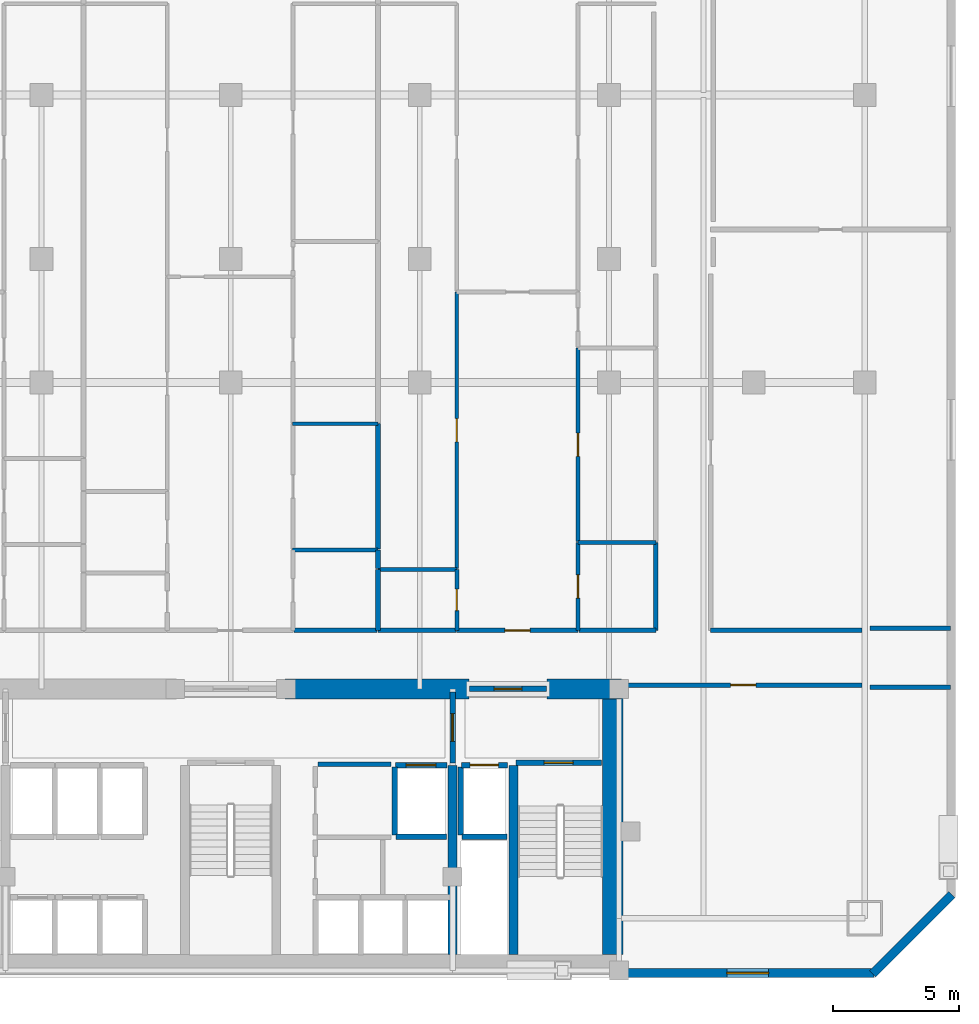
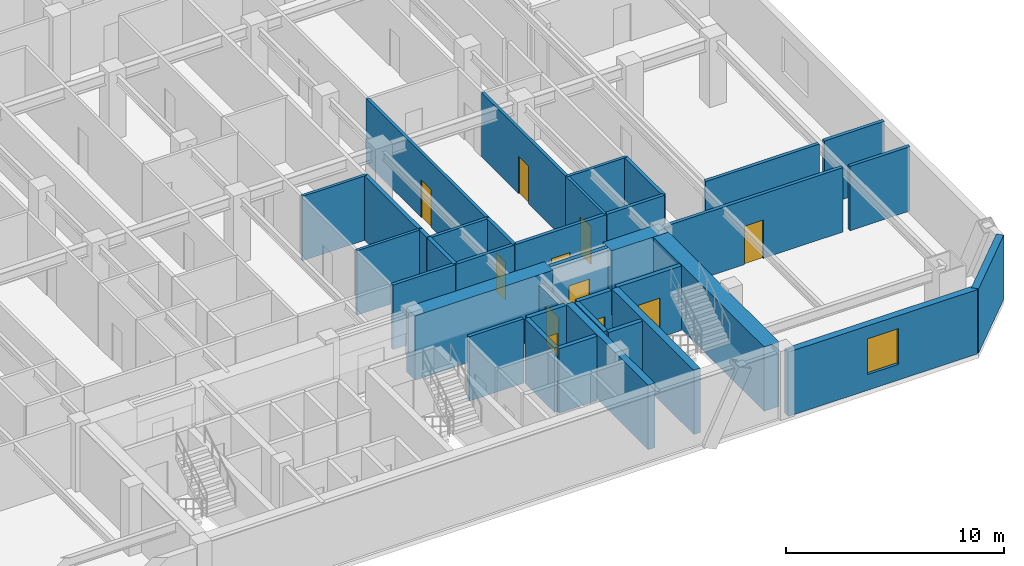
# One storey, part 5 of 9: 37 walls, 11 doors, 1 window, 12 openings.
"""IFC4 building model written with IfcOpenShell, lengths in metres."""

from ifc_helpers import new_model, si_unit, direction, frame, frame_2d, origin, place, context, subcontext, project, spatial, rectangle, extrude, material, layer, layer_set, type_object, element, fill, save


model = new_model("IFC4")

# Units and contexts
model_context = context("Model", 3, precision=1e-05, world=origin(), true_north=direction((0.0, 1.0)))
body_context = subcontext(model_context, "Body", "Model", "MODEL_VIEW")
ifc_project = project(units=[si_unit("LENGTHUNIT", "METRE"), si_unit("AREAUNIT", "SQUARE_METRE"), si_unit("VOLUMEUNIT", "CUBIC_METRE"), si_unit("PLANEANGLEUNIT", "RADIAN"), si_unit("MASSUNIT", "GRAM", prefix="KILO")], contexts=[model_context])

# Site, building, storey
site_placement = place(None, origin())
site = spatial("IfcSite", under=ifc_project, at=site_placement, CompositionType="ELEMENT")
building_placement = place(site_placement, origin())
building = spatial("IfcBuilding", under=site, at=building_placement, Name="Ventersveld Concourse Tower", CompositionType="ELEMENT")
storey_placement = place(building_placement, frame((0.0, 0.0, 52.89990234375)))
storey = spatial("IfcBuildingStorey", under=building, at=storey_placement, Name="L12", CompositionType="ELEMENT", Elevation=52.89990234375)

# Walls
ifc_material_1 = material(Name="Concrete C60/75", Category="concrete")
ifc_layer_1 = layer(ifc_material_1, 0.35009765625)
ifc_layer_set_1 = layer_set([ifc_layer_1], Name="Concrete C60/75")
wall_type_1 = type_object("IfcWallType", Name="WL-CORE-350L", PredefinedType="SHEAR", material=ifc_layer_set_1)
for number, where, z_axis, x_axis, name in (
    (1, (37.550048828125, 0.919921875, 0.0), (0.0, 0.0, 1.0), (0.0, 1.0, 0.0), "L12 Core Internal Shear Web W-SVL-W"),
    (2, (39.9599609375, 0.919921875, 0.0), (0.0, 0.0, 1.0), (0.0, 1.0, 0.0), "L12 Core Internal Shear Web W-ST2-W"),
):
    element("IfcWall", number, at=place(storey_placement, frame(where, z_axis=z_axis, x_axis=x_axis)), inside=storey, type_object=wall_type_1, Name=name, PredefinedType="SHEAR", context=body_context, shape_type="SweptSolid", body=[
        extrude(rectangle(XDim=7.5, YDim=0.35009765625, at=frame_2d((3.75, 0.0))), origin(), (0.0, 0.0, 1.0), 3.60009765625),
    ])
ifc_layer_2 = layer(ifc_material_1, 0.800048828125)
ifc_layer_set_2 = layer_set([ifc_layer_2], Name="Concrete C60/75")
wall_type_2 = type_object("IfcWallType", Name="WL-CORE-800", PredefinedType="SHEAR", material=ifc_layer_set_2)
wall_1_placement = place(storey_placement, frame((43.89990234375, 0.919921875, 0.0), z_axis=(0.0, 0.0, 1.0), x_axis=(0.0, 1.0, 0.0)))
element("IfcWall", 3, at=wall_1_placement, inside=storey, type_object=wall_type_2, Name="L12 Rear Core East Shear Wall", PredefinedType="SHEAR", context=body_context, shape_type="SweptSolid", body=[
    extrude(rectangle(XDim=10.530029296875, YDim=0.800048828125, at=frame_2d((5.26513671875, 0.0))), origin(), (0.0, 0.0, 1.0), 3.60009765625),
])
wall_2_placement = place(storey_placement, frame((30.89990234375, 11.449951171875, 0.0), z_axis=(0.0, 0.0, 1.0), x_axis=(1.0, 0.0, 0.0)))
element("IfcWall", 4, at=wall_2_placement, inside=storey, type_object=wall_type_2, Name="L12 Rear Core North Shear Wall NMR", PredefinedType="SHEAR", context=body_context, shape_type="SweptSolid", body=[
    extrude(rectangle(XDim=7.300048828125, YDim=0.800048828125, at=frame_2d((3.64990234375, 0.0))), origin(), (0.0, 0.0, 1.0), 3.60009765625),
])
wall_3_placement = place(storey_placement, frame((41.300048828125, 11.449951171875, 0.0), z_axis=(0.0, 0.0, 1.0), x_axis=(1.0, 0.0, 0.0)))
element("IfcWall", 5, at=wall_3_placement, inside=storey, type_object=wall_type_2, Name="L12 Rear Core North Shear Wall NE", PredefinedType="SHEAR", context=body_context, shape_type="SweptSolid", body=[
    extrude(rectangle(XDim=2.949951171875, YDim=0.800048828125, at=frame_2d((1.47509765625, 0.0))), origin(), (0.0, 0.0, 1.0), 3.60009765625),
])
ifc_material_2 = material(Name="Fire-rated autoclaved aerated masonry blockwork", Category="masonry")
ifc_layer_3 = layer(ifc_material_2, 0.179931640625)
ifc_layer_set_3 = layer_set([ifc_layer_3], Name="Fire-rated autoclaved aerated masonry blockwork")
wall_type_3 = type_object("IfcWallType", Name="WL-CORR-180", PredefinedType="PARTITIONING", material=ifc_layer_set_3)
wall_4_placement = place(storey_placement, frame((32.219970703125, 8.4599609375, 0.0), z_axis=(0.0, 0.0, 1.0), x_axis=(1.0, 0.0, 0.0)))
element("IfcWall", 6, at=wall_4_placement, inside=storey, type_object=wall_type_3, Name="L12 Core Top Wall SP-L12-CBAY1", PredefinedType="PARTITIONING", context=body_context, shape_type="SweptSolid", body=[
    extrude(rectangle(XDim=2.880126953125, YDim=0.179931640625, at=frame_2d((1.43994140625, 0.0))), origin(), (0.0, 0.0, 1.0), 3.60009765625),
])

# Wall, opening, door
wall_5_placement = place(storey_placement, frame((44.35498046875, 11.60009765625, 0.0), z_axis=(0.0, 0.0, 1.0), x_axis=(1.0, 0.0, 0.0)))
wall_5 = element("IfcWall", 7, at=wall_5_placement, inside=storey, type_object=wall_type_3, Name="L12 Interior Partition SP-L12-SE-OFF-SP-L12-COR", PredefinedType="PARTITIONING", context=body_context, shape_type="SweptSolid", body=[
    extrude(rectangle(XDim=9.43994140625, YDim=0.179931640625, at=frame_2d((4.719970703125, 0.0))), origin(), (0.0, 0.0, 1.0), 3.60009765625),
])
opening_1_placement = place(wall_5_placement, frame((4.219970703125, 0.0, 0.0)))
opening_1 = element("IfcOpeningElement", 8, at=opening_1_placement, cuts=wall_5, Name="Opening FD3", PredefinedType="OPENING", context=body_context, shape_type="SweptSolid", body=[
    extrude(rectangle(XDim=1.0, YDim=2.14990234375, at=frame_2d((0.5, 1.074951171875))), frame((0.0, 0.10009765625, 0.0), z_axis=(0.0, -1.0, 0.0), x_axis=(1.0, 0.0, 0.0)), (0.0, 0.0, 1.0), 0.199951171875),
])
ifc_material_3 = material(Name="Solid-core hardwood veneer timber", Category="wood")
door_type_1 = type_object("IfcDoorType", Name="DR-FLAT-100", OperationType="NOTDEFINED", PredefinedType="DOOR", material=ifc_material_3)
door_1_placement = place(opening_1_placement, origin())
door_1 = element("IfcDoor", 9, at=door_1_placement, inside=storey, type_object=door_type_1, Name="L12 Interior Door SP-L12-SE-OFF to SP-L12-COR (D-L12-0488)", OperationType="SINGLE_SWING_RIGHT", OverallHeight=2.14990234375, OverallWidth=1.0, PredefinedType="DOOR", context=body_context, shape_type="SweptSolid", body=[
    extrude(rectangle(XDim=1.0, YDim=2.14990234375, at=frame_2d((0.5, 1.074951171875))), frame((0.0, 0.02490234375, 0.0), z_axis=(0.0, -1.0, 0.0), x_axis=(1.0, 0.0, 0.0)), (0.0, 0.0, 1.0), 0.050048828125),
])
fill(opening_1, door_1)

# Wall
wall_6_placement = place(storey_placement, frame((47.784912109375, 13.77001953125, 0.0), z_axis=(0.0, 0.0, 1.0), x_axis=(1.0, 0.0, 0.0)))
element("IfcWall", 10, at=wall_6_placement, inside=storey, type_object=wall_type_3, Name="L12 Interior Partition SP-L12-COR-SP-L12-NELNG1", PredefinedType="PARTITIONING", context=body_context, shape_type="SweptSolid", body=[
    extrude(rectangle(XDim=6.010009765625, YDim=0.179931640625, at=frame_2d((3.0048828125, 0.0))), origin(), (0.0, 0.0, 1.0), 3.60009765625),
])

# Wall, opening, door
wall_7_placement = place(storey_placement, frame((37.71435546875, 13.77001953125, 0.0), z_axis=(0.0, 0.0, 1.0), x_axis=(1.0, 0.0, 0.0)))
wall_7 = element("IfcWall", 11, at=wall_7_placement, inside=storey, type_object=wall_type_3, Name="L12 Interior Partition SP-L12-COR-SP-L12-12CE-FOY", PredefinedType="PARTITIONING", context=body_context, shape_type="SweptSolid", body=[
    extrude(rectangle(XDim=4.81640625, YDim=0.179931640625, at=frame_2d((2.408203125, 0.0))), origin(), (0.0, 0.0, 1.0), 3.60009765625),
])
opening_2_placement = place(wall_7_placement, frame((1.908203125, 0.0, 0.0)))
opening_2 = element("IfcOpeningElement", 12, at=opening_2_placement, cuts=wall_7, Name="Opening FD3", PredefinedType="OPENING", context=body_context, shape_type="SweptSolid", body=[
    extrude(rectangle(XDim=1.0, YDim=2.14990234375, at=frame_2d((0.5, 1.074951171875))), frame((0.0, 0.10009765625, 0.0), z_axis=(0.0, -1.0, 0.0), x_axis=(1.0, 0.0, 0.0)), (0.0, 0.0, 1.0), 0.199951171875),
])
door_2_placement = place(opening_2_placement, origin())
door_2 = element("IfcDoor", 13, at=door_2_placement, inside=storey, type_object=door_type_1, Name="L12 Interior Door SP-L12-COR to SP-L12-12CE-FOY (FD-L12-0492)", OperationType="SINGLE_SWING_RIGHT", OverallHeight=2.14990234375, OverallWidth=1.0, PredefinedType="DOOR", context=body_context, shape_type="SweptSolid", body=[
    extrude(rectangle(XDim=1.0, YDim=2.14990234375, at=frame_2d((0.5, 1.074951171875))), frame((0.0, 0.02490234375, 0.0), z_axis=(0.0, -1.0, 0.0), x_axis=(1.0, 0.0, 0.0)), (0.0, 0.0, 1.0), 0.050048828125),
])
fill(opening_2, door_2)

# Walls
wall_8_placement = place(storey_placement, frame((34.5849609375, 13.77001953125, 0.0), z_axis=(0.0, 0.0, 1.0), x_axis=(1.0, 0.0, 0.0)))
element("IfcWall", 14, at=wall_8_placement, inside=storey, type_object=wall_type_3, Name="L12 Interior Partition SP-L12-COR-SP-L12-12CE-BATH", PredefinedType="PARTITIONING", context=body_context, shape_type="SweptSolid", body=[
    extrude(rectangle(XDim=3.099365234375, YDim=0.179931640625, at=frame_2d((1.5498046875, 0.0))), origin(), (0.0, 0.0, 1.0), 3.60009765625),
])
wall_9_placement = place(storey_placement, frame((45.610107421875, 13.764892578125, 0.0), z_axis=(0.0, 0.0, 1.0), x_axis=(0.0, 1.0, 0.0)))
element("IfcWall", 15, at=wall_9_placement, inside=storey, type_object=wall_type_3, Name="L12 Interior Partition SP-L12-COR-SP-L12-12CE-KIT", PredefinedType="PARTITIONING", context=body_context, shape_type="SweptSolid", body=[
    extrude(rectangle(XDim=3.49560546875, YDim=0.179931640625, at=frame_2d((1.747802734375, 0.0))), origin(), (0.0, 0.0, 1.0), 3.60009765625),
])
wall_10_placement = place(storey_placement, frame((42.560791015625, 13.77001953125, 0.0), z_axis=(0.0, 0.0, 1.0), x_axis=(1.0, 0.0, 0.0)))
element("IfcWall", 16, at=wall_10_placement, inside=storey, type_object=wall_type_3, Name="L12 Interior Partition SP-L12-COR-SP-L12-12CE-KIT", PredefinedType="PARTITIONING", context=body_context, shape_type="SweptSolid", body=[
    extrude(rectangle(XDim=3.05419921875, YDim=0.179931640625, at=frame_2d((1.527099609375, 0.0))), origin(), (0.0, 0.0, 1.0), 3.60009765625),
])
wall_11_placement = place(storey_placement, frame((31.251220703125, 13.77001953125, 0.0), z_axis=(0.0, 0.0, 1.0), x_axis=(1.0, 0.0, 0.0)))
element("IfcWall", 17, at=wall_11_placement, inside=storey, type_object=wall_type_3, Name="L12 Interior Partition SP-L12-COR-SP-L12-12CM-KIT", PredefinedType="PARTITIONING", context=body_context, shape_type="SweptSolid", body=[
    extrude(rectangle(XDim=3.3037109375, YDim=0.179931640625, at=frame_2d((1.65185546875, 0.0))), origin(), (0.0, 0.0, 1.0), 3.60009765625),
])
wall_12_placement = place(storey_placement, frame((54.1123046875, 11.52001953125, 0.0), z_axis=(0.0, 0.0, 1.0), x_axis=(1.0, 0.0, 0.0)))
element("IfcWall", 18, at=wall_12_placement, inside=storey, type_object=wall_type_3, Name="L12 Room Enclosure Wall SP-L12-SE-OFF", PredefinedType="PARTITIONING", context=body_context, shape_type="SweptSolid", body=[
    extrude(rectangle(XDim=3.177734375, YDim=0.179931640625, at=frame_2d((1.5888671875, 0.0))), origin(), (0.0, 0.0, 1.0), 3.60009765625),
])
wall_13_placement = place(storey_placement, frame((57.2900390625, 13.860107421875, 0.0), z_axis=(0.0, 0.0, 1.0), x_axis=(-1.0, 0.0, 0.0)))
element("IfcWall", 19, at=wall_13_placement, inside=storey, type_object=wall_type_3, Name="L12 Room Enclosure Wall SP-L12-NELNG1", PredefinedType="PARTITIONING", context=body_context, shape_type="SweptSolid", body=[
    extrude(rectangle(XDim=3.18017578125, YDim=0.179931640625, at=frame_2d((1.590087890625, 0.0))), origin(), (0.0, 0.0, 1.0), 3.60009765625),
])
ifc_layer_4 = layer(ifc_material_2, 0.199951171875)
ifc_layer_set_4 = layer_set([ifc_layer_4], Name="Fire-rated autoclaved aerated masonry blockwork")
wall_type_4 = type_object("IfcWallType", Name="WL-DEMISE-200", PredefinedType="PARTITIONING", material=ifc_layer_set_4)
wall_14_placement = place(storey_placement, frame((34.590087890625, 13.764892578125, 0.0), z_axis=(0.0, 0.0, 1.0), x_axis=(0.0, 1.0, 0.0)))
element("IfcWall", 20, at=wall_14_placement, inside=storey, type_object=wall_type_4, Name="L12 Interior Partition SP-L12-12CE-BATH-SP-L12-12CM-KIT", PredefinedType="PARTITIONING", context=body_context, shape_type="SweptSolid", body=[
    extrude(rectangle(XDim=2.427978515625, YDim=0.199951171875, at=frame_2d((1.2138671875, 0.0))), origin(), (0.0, 0.0, 1.0), 3.60009765625),
])
wall_15_placement = place(storey_placement, frame((34.590087890625, 16.222900390625, 0.0), z_axis=(0.0, 0.0, 1.0), x_axis=(0.0, 1.0, 0.0)))
element("IfcWall", 21, at=wall_15_placement, inside=storey, type_object=wall_type_4, Name="L12 Interior Partition SP-L12-12CE-OFFL0-SP-L12-12CM-KIT", PredefinedType="PARTITIONING", context=body_context, shape_type="SweptSolid", body=[
    extrude(rectangle(XDim=0.73779296875, YDim=0.199951171875, at=frame_2d((0.368896484375, 0.0))), origin(), (0.0, 0.0, 1.0), 3.60009765625),
])
wall_16_placement = place(storey_placement, frame((34.590087890625, 16.99072265625, 0.0), z_axis=(0.0, 0.0, 1.0), x_axis=(0.0, 1.0, 0.0)))
element("IfcWall", 22, at=wall_16_placement, inside=storey, type_object=wall_type_4, Name="L12 Interior Partition SP-L12-12CE-OFFL0-SP-L12-12CM-MEDR1", PredefinedType="PARTITIONING", context=body_context, shape_type="SweptSolid", body=[
    extrude(rectangle(XDim=4.97607421875, YDim=0.199951171875, at=frame_2d((2.488037109375, 0.0))), origin(), (0.0, 0.0, 1.0), 3.60009765625),
])
ifc_layer_5 = layer(ifc_material_2, 0.219970703125)
ifc_layer_set_5 = layer_set([ifc_layer_5], Name="Fire-rated autoclaved aerated masonry blockwork")
wall_type_5 = type_object("IfcWallType", Name="WL-HOIST-220", PredefinedType="SOLIDWALL", material=ifc_layer_set_5)
wall_17_placement = place(storey_placement, frame((37.919921875, 5.590087890625, 0.0), z_axis=(0.0, 0.0, 1.0), x_axis=(1.0, 0.0, 0.0)))
element("IfcWall", 23, at=wall_17_placement, inside=storey, type_object=wall_type_5, Name="L12 Lift Hoistway Back Wall FFL-02", PredefinedType="SOLIDWALL", context=body_context, shape_type="SweptSolid", body=[
    extrude(rectangle(XDim=1.780029296875, YDim=0.219970703125, at=frame_2d((0.89013671875, 0.0))), origin(), (0.0, 0.0, 1.0), 3.60009765625),
])
wall_18_placement = place(storey_placement, frame((37.8798828125, 5.64990234375, 0.0), z_axis=(0.0, 0.0, 1.0), x_axis=(0.0, 1.0, 0.0)))
element("IfcWall", 24, at=wall_18_placement, inside=storey, type_object=wall_type_5, Name="L12 Lift Hoistway Side Wall FFL-02W", PredefinedType="SOLIDWALL", context=body_context, shape_type="SweptSolid", body=[
    extrude(rectangle(XDim=2.7001953125, YDim=0.219970703125, at=frame_2d((1.35009765625, 0.0))), origin(), (0.0, 0.0, 1.0), 3.60009765625),
])

# Wall, opening, door
wall_19_placement = place(storey_placement, frame((37.89990234375, 8.429931640625, 0.0), z_axis=(0.0, 0.0, 1.0), x_axis=(1.0, 0.0, 0.0)))
wall_19 = element("IfcWall", 25, at=wall_19_placement, inside=storey, type_object=wall_type_5, Name="L12 Lift Hoistway Front Wall FFL-02", PredefinedType="SOLIDWALL", context=body_context, shape_type="SweptSolid", body=[
    extrude(rectangle(XDim=1.820068359375, YDim=0.219970703125, at=frame_2d((0.91015625, 0.0))), origin(), (0.0, 0.0, 1.0), 3.60009765625),
])
opening_3_placement = place(wall_19_placement, frame((0.35009765625, 0.0, 0.0)))
opening_3 = element("IfcOpeningElement", 26, at=opening_3_placement, cuts=wall_19, Name="Opening LD1", PredefinedType="OPENING", context=body_context, shape_type="SweptSolid", body=[
    extrude(rectangle(XDim=1.1201171875, YDim=2.25, at=frame_2d((0.56005859375, 1.125))), frame((0.0, 0.1201171875, 0.0), z_axis=(0.0, -1.0, 0.0), x_axis=(1.0, 0.0, 0.0)), (0.0, 0.0, 1.0), 0.239990234375),
])
ifc_material_4 = material(Name="Brushed stainless steel 316", Category="steel")
door_type_2 = type_object("IfcDoorType", Name="LD-FF-112", OperationType="SLIDING_TO_LEFT", PredefinedType="DOOR", material=ifc_material_4)
door_3_placement = place(opening_3_placement, origin())
door_3 = element("IfcDoor", 27, at=door_3_placement, inside=storey, type_object=door_type_2, Name="L12 Lift landing door FFL-02 (LD-L12-FFL-02)", OperationType="SLIDING_TO_RIGHT", OverallHeight=2.25, OverallWidth=1.1201171875, PredefinedType="DOOR", context=body_context, shape_type="SweptSolid", body=[
    extrude(rectangle(XDim=1.1201171875, YDim=2.25, at=frame_2d((0.56005859375, 1.125))), frame((0.0, 0.02490234375, 0.0), z_axis=(0.0, -1.0, 0.0), x_axis=(1.0, 0.0, 0.0)), (0.0, 0.0, 1.0), 0.050048828125),
])
fill(opening_3, door_3)

# Walls
wall_20_placement = place(storey_placement, frame((35.300048828125, 5.590087890625, 0.0), z_axis=(0.0, 0.0, 1.0), x_axis=(1.0, 0.0, 0.0)))
element("IfcWall", 28, at=wall_20_placement, inside=storey, type_object=wall_type_5, Name="L12 Lift Hoistway Back Wall SVL-01", PredefinedType="SOLIDWALL", context=body_context, shape_type="SweptSolid", body=[
    extrude(rectangle(XDim=2.0, YDim=0.219970703125, at=frame_2d((1.0, 0.0))), origin(), (0.0, 0.0, 1.0), 3.60009765625),
])
wall_21_placement = place(storey_placement, frame((35.260009765625, 5.64990234375, 0.0), z_axis=(0.0, 0.0, 1.0), x_axis=(0.0, 1.0, 0.0)))
element("IfcWall", 29, at=wall_21_placement, inside=storey, type_object=wall_type_5, Name="L12 Lift Hoistway Side Wall SVL-01W", PredefinedType="SOLIDWALL", context=body_context, shape_type="SweptSolid", body=[
    extrude(rectangle(XDim=2.7001953125, YDim=0.219970703125, at=frame_2d((1.35009765625, 0.0))), origin(), (0.0, 0.0, 1.0), 3.60009765625),
])

# Wall, opening, door
wall_22_placement = place(storey_placement, frame((35.280029296875, 8.429931640625, 0.0), z_axis=(0.0, 0.0, 1.0), x_axis=(1.0, 0.0, 0.0)))
wall_22 = element("IfcWall", 30, at=wall_22_placement, inside=storey, type_object=wall_type_5, Name="L12 Lift Hoistway Front Wall SVL-01", PredefinedType="SOLIDWALL", context=body_context, shape_type="SweptSolid", body=[
    extrude(rectangle(XDim=2.0400390625, YDim=0.219970703125, at=frame_2d((1.02001953125, 0.0))), origin(), (0.0, 0.0, 1.0), 3.60009765625),
])
opening_4_placement = place(wall_22_placement, frame((0.429931640625, 0.0, 0.0)))
opening_4 = element("IfcOpeningElement", 31, at=opening_4_placement, cuts=wall_22, Name="Opening LD2", PredefinedType="OPENING", context=body_context, shape_type="SweptSolid", body=[
    extrude(rectangle(XDim=1.179931640625, YDim=2.199951171875, at=frame_2d((0.58984375, 1.10009765625))), frame((0.0, 0.1201171875, 0.0), z_axis=(0.0, -1.0, 0.0), x_axis=(1.0, 0.0, 0.0)), (0.0, 0.0, 1.0), 0.239990234375),
])
door_type_3 = type_object("IfcDoorType", Name="LD-PAX-118", OperationType="SLIDING_TO_LEFT", PredefinedType="DOOR", material=ifc_material_4)
door_4_placement = place(opening_4_placement, origin())
door_4 = element("IfcDoor", 32, at=door_4_placement, inside=storey, type_object=door_type_3, Name="L12 Lift landing door SVL-01 (LD-L12-SVL-01)", OperationType="SLIDING_TO_LEFT", OverallHeight=2.199951171875, OverallWidth=1.179931640625, PredefinedType="DOOR", context=body_context, shape_type="SweptSolid", body=[
    extrude(rectangle(XDim=1.179931640625, YDim=2.199951171875, at=frame_2d((0.58984375, 1.10009765625))), frame((0.0, 0.02490234375, 0.0), z_axis=(0.0, -1.0, 0.0), x_axis=(1.0, 0.0, 0.0)), (0.0, 0.0, 1.0), 0.050048828125),
])
fill(opening_4, door_4)

wall_23_placement = place(storey_placement, frame((40.06005859375, 8.52001953125, 0.0), z_axis=(0.0, 0.0, 1.0), x_axis=(1.0, 0.0, 0.0)))
wall_23 = element("IfcWall", 33, at=wall_23_placement, inside=storey, type_object=wall_type_5, Name="L12 Escape Stair ST02 Fire Wall", PredefinedType="SOLIDWALL", context=body_context, shape_type="SweptSolid", body=[
    extrude(rectangle(XDim=3.39990234375, YDim=0.219970703125, at=frame_2d((1.699951171875, 0.0))), origin(), (0.0, 0.0, 1.0), 3.60009765625),
])
opening_5_placement = place(wall_23_placement, frame((1.125, 0.0, 0.0)))
opening_5 = element("IfcOpeningElement", 34, at=opening_5_placement, cuts=wall_23, Name="Opening FD1", PredefinedType="OPENING", context=body_context, shape_type="SweptSolid", body=[
    extrude(rectangle(XDim=1.14990234375, YDim=2.199951171875, at=frame_2d((0.574951171875, 1.10009765625))), frame((0.0, 0.1201171875, 0.0), z_axis=(0.0, -1.0, 0.0), x_axis=(1.0, 0.0, 0.0)), (0.0, 0.0, 1.0), 0.239990234375),
])
ifc_material_5 = material(Name="Galvanised painted steel", Category="steel")
door_type_4 = type_object("IfcDoorType", Name="DR-STAIR-115", OperationType="NOTDEFINED", PredefinedType="DOOR", material=ifc_material_5)
door_5_placement = place(opening_5_placement, origin())
door_5 = element("IfcDoor", 35, at=door_5_placement, inside=storey, type_object=door_type_4, Name="L12 Escape Stair Door ST02 (SD-L12-0478)", OperationType="SINGLE_SWING_RIGHT", OverallHeight=2.199951171875, OverallWidth=1.14990234375, PredefinedType="DOOR", context=body_context, shape_type="SweptSolid", body=[
    extrude(rectangle(XDim=1.14990234375, YDim=2.199951171875, at=frame_2d((0.574951171875, 1.10009765625))), frame((0.0, 0.02490234375, 0.0), z_axis=(0.0, -1.0, 0.0), x_axis=(1.0, 0.0, 0.0)), (0.0, 0.0, 1.0), 0.050048828125),
])
fill(opening_5, door_5)

wall_24_placement = place(storey_placement, frame((37.550048828125, 8.52001953125, 0.0), z_axis=(0.0, 0.0, 1.0), x_axis=(0.0, 1.0, 0.0)))
wall_24 = element("IfcWall", 36, at=wall_24_placement, inside=storey, type_object=wall_type_5, Name="L12 Firefighting Lobby Smoke-Stop Wall FFLE-SEP", PredefinedType="SOLIDWALL", context=body_context, shape_type="SweptSolid", body=[
    extrude(rectangle(XDim=2.800048828125, YDim=0.219970703125, at=frame_2d((1.39990234375, 0.0))), origin(), (0.0, 0.0, 1.0), 3.0556640625),
])
opening_6_placement = place(wall_24_placement, frame((0.85009765625, 0.0, 0.0)))
opening_6 = element("IfcOpeningElement", 37, at=opening_6_placement, cuts=wall_24, Name="Opening FD2", PredefinedType="OPENING", context=body_context, shape_type="SweptSolid", body=[
    extrude(rectangle(XDim=1.10009765625, YDim=2.199951171875, at=frame_2d((0.550048828125, 1.10009765625))), frame((0.0, 0.1201171875, 0.0), z_axis=(0.0, -1.0, 0.0), x_axis=(1.0, 0.0, 0.0)), (0.0, 0.0, 1.0), 0.239990234375),
])
door_type_5 = type_object("IfcDoorType", Name="DR-FFL-110", OperationType="NOTDEFINED", PredefinedType="DOOR", material=ifc_material_5)
door_6_placement = place(opening_6_placement, origin())
door_6 = element("IfcDoor", 38, at=door_6_placement, inside=storey, type_object=door_type_5, Name="L12 Firefighting Lobby Door FFLE-SEP (FD-L12-0481)", OperationType="SINGLE_SWING_RIGHT", OverallHeight=2.199951171875, OverallWidth=1.10009765625, PredefinedType="DOOR", context=body_context, shape_type="SweptSolid", body=[
    extrude(rectangle(XDim=1.10009765625, YDim=2.199951171875, at=frame_2d((0.550048828125, 1.10009765625))), frame((0.0, 0.02490234375, 0.0), z_axis=(0.0, -1.0, 0.0), x_axis=(1.0, 0.0, 0.0)), (0.0, 0.0, 1.0), 0.050048828125),
])
fill(opening_6, door_6)

wall_25_placement = place(storey_placement, frame((38.22998046875, 11.449951171875, 0.0), z_axis=(0.0, 0.0, 1.0), x_axis=(1.0, 0.0, 0.0)))
wall_25 = element("IfcWall", 39, at=wall_25_placement, inside=storey, type_object=wall_type_5, Name="L12 Core North Fire Portal FFLE-OUT", PredefinedType="SOLIDWALL", context=body_context, shape_type="SweptSolid", body=[
    extrude(rectangle(XDim=3.0400390625, YDim=0.219970703125, at=frame_2d((1.52001953125, 0.0))), origin(), (0.0, 0.0, 1.0), 3.60009765625),
])
opening_7_placement = place(wall_25_placement, frame((0.969970703125, 0.0, 0.0)))
opening_7 = element("IfcOpeningElement", 40, at=opening_7_placement, cuts=wall_25, Name="Opening FD2", PredefinedType="OPENING", context=body_context, shape_type="SweptSolid", body=[
    extrude(rectangle(XDim=1.10009765625, YDim=2.199951171875, at=frame_2d((0.550048828125, 1.10009765625))), frame((0.0, 0.1201171875, 0.0), z_axis=(0.0, -1.0, 0.0), x_axis=(1.0, 0.0, 0.0)), (0.0, 0.0, 1.0), 0.239990234375),
])
door_7_placement = place(opening_7_placement, origin())
door_7 = element("IfcDoor", 41, at=door_7_placement, inside=storey, type_object=door_type_5, Name="L12 Core Lobby Fire Door FFLE-OUT (FD-L12-0484)", OperationType="SINGLE_SWING_LEFT", OverallHeight=2.199951171875, OverallWidth=1.10009765625, PredefinedType="DOOR", context=body_context, shape_type="SweptSolid", body=[
    extrude(rectangle(XDim=1.10009765625, YDim=2.199951171875, at=frame_2d((0.550048828125, 1.10009765625))), frame((0.0, 0.02490234375, 0.0), z_axis=(0.0, -1.0, 0.0), x_axis=(1.0, 0.0, 0.0)), (0.0, 0.0, 1.0), 0.050048828125),
])
fill(opening_7, door_7)

ifc_material_6 = material(Name="Autoclaved aerated masonry blockwork", Category="masonry")
ifc_layer_6 = layer(ifc_material_6, 0.14990234375)
ifc_layer_set_6 = layer_set([ifc_layer_6], Name="Autoclaved aerated masonry blockwork")
wall_type_6 = type_object("IfcWallType", Name="WL-INT-150", PredefinedType="PARTITIONING", material=ifc_layer_set_6)
wall_26_placement = place(storey_placement, frame((37.71923828125, 16.222900390625, 0.0), z_axis=(0.0, 0.0, 1.0), x_axis=(0.0, 1.0, 0.0)))
wall_26 = element("IfcWall", 42, at=wall_26_placement, inside=storey, type_object=wall_type_6, Name="L12 Interior Partition SP-L12-12CE-FOY-SP-L12-12CE-OFFL0", PredefinedType="PARTITIONING", context=body_context, shape_type="SweptSolid", body=[
    extrude(rectangle(XDim=10.976806640625, YDim=0.14990234375, at=frame_2d((5.48828125, 0.0))), origin(), (0.0, 0.0, 1.0), 3.60009765625),
])
opening_8_placement = place(wall_26_placement, frame((5.0283203125, 0.0, 0.0)))
opening_8 = element("IfcOpeningElement", 43, at=opening_8_placement, cuts=wall_26, Name="Opening ID1", PredefinedType="OPENING", context=body_context, shape_type="SweptSolid", body=[
    extrude(rectangle(XDim=0.919921875, YDim=2.10009765625, at=frame_2d((0.4599609375, 1.050048828125))), frame((0.0, 0.0849609375, 0.0), z_axis=(0.0, -1.0, 0.0), x_axis=(1.0, 0.0, 0.0)), (0.0, 0.0, 1.0), 0.169921875),
])
door_type_6 = type_object("IfcDoorType", Name="DR-ROOM-092", OperationType="NOTDEFINED", PredefinedType="DOOR", material=ifc_material_3)
door_8_placement = place(opening_8_placement, origin())
door_8 = element("IfcDoor", 44, at=door_8_placement, inside=storey, type_object=door_type_6, Name="L12 Interior Door SP-L12-12CE-FOY to SP-L12-12CE-OFFL0 (D-L12-0509)", OperationType="SINGLE_SWING_LEFT", OverallHeight=2.10009765625, OverallWidth=0.919921875, PredefinedType="DOOR", context=body_context, shape_type="SweptSolid", body=[
    extrude(rectangle(XDim=0.919921875, YDim=2.10009765625, at=frame_2d((0.4599609375, 1.050048828125))), frame((0.0, 0.02490234375, 0.0), z_axis=(0.0, -1.0, 0.0), x_axis=(1.0, 0.0, 0.0)), (0.0, 0.0, 1.0), 0.050048828125),
])
fill(opening_8, door_8)

wall_27_placement = place(storey_placement, frame((42.525634765625, 13.764892578125, 0.0), z_axis=(0.0, 0.0, 1.0), x_axis=(0.0, 1.0, 0.0)))
wall_27 = element("IfcWall", 45, at=wall_27_placement, inside=storey, type_object=wall_type_6, Name="L12 Interior Partition SP-L12-12CE-FOY-SP-L12-12CE-KIT", PredefinedType="PARTITIONING", context=body_context, shape_type="SweptSolid", body=[
    extrude(rectangle(XDim=3.49560546875, YDim=0.14990234375, at=frame_2d((1.747802734375, 0.0))), origin(), (0.0, 0.0, 1.0), 3.60009765625),
])
opening_9_placement = place(wall_27_placement, frame((1.28759765625, 0.0, 0.0)))
opening_9 = element("IfcOpeningElement", 46, at=opening_9_placement, cuts=wall_27, Name="Opening ID1", PredefinedType="OPENING", context=body_context, shape_type="SweptSolid", body=[
    extrude(rectangle(XDim=0.919921875, YDim=2.10009765625, at=frame_2d((0.4599609375, 1.050048828125))), frame((0.0, 0.0849609375, 0.0), z_axis=(0.0, -1.0, 0.0), x_axis=(1.0, 0.0, 0.0)), (0.0, 0.0, 1.0), 0.169921875),
])
door_9_placement = place(opening_9_placement, origin())
door_9 = element("IfcDoor", 47, at=door_9_placement, inside=storey, type_object=door_type_6, Name="L12 Interior Door SP-L12-12CE-FOY to SP-L12-12CE-KIT (D-L12-0510)", OperationType="SINGLE_SWING_RIGHT", OverallHeight=2.10009765625, OverallWidth=0.919921875, PredefinedType="DOOR", context=body_context, shape_type="SweptSolid", body=[
    extrude(rectangle(XDim=0.919921875, YDim=2.10009765625, at=frame_2d((0.4599609375, 1.050048828125))), frame((0.0, 0.02490234375, 0.0), z_axis=(0.0, -1.0, 0.0), x_axis=(1.0, 0.0, 0.0)), (0.0, 0.0, 1.0), 0.050048828125),
])
fill(opening_9, door_9)

wall_28_placement = place(storey_placement, frame((42.525634765625, 17.290283203125, 0.0), z_axis=(0.0, 0.0, 1.0), x_axis=(0.0, 1.0, 0.0)))
wall_28 = element("IfcWall", 48, at=wall_28_placement, inside=storey, type_object=wall_type_6, Name="L12 Interior Partition SP-L12-12CE-FOY-SP-L12-12CE-MEDR1", PredefinedType="PARTITIONING", context=body_context, shape_type="SweptSolid", body=[
    extrude(rectangle(XDim=7.681396484375, YDim=0.14990234375, at=frame_2d((3.8408203125, 0.0))), origin(), (0.0, 0.0, 1.0), 3.60009765625),
])
opening_10_placement = place(wall_28_placement, frame((3.380615234375, 0.0, 0.0)))
opening_10 = element("IfcOpeningElement", 49, at=opening_10_placement, cuts=wall_28, Name="Opening ID1", PredefinedType="OPENING", context=body_context, shape_type="SweptSolid", body=[
    extrude(rectangle(XDim=0.919921875, YDim=2.10009765625, at=frame_2d((0.4599609375, 1.050048828125))), frame((0.0, 0.0849609375, 0.0), z_axis=(0.0, -1.0, 0.0), x_axis=(1.0, 0.0, 0.0)), (0.0, 0.0, 1.0), 0.169921875),
])
door_10_placement = place(opening_10_placement, origin())
door_10 = element("IfcDoor", 50, at=door_10_placement, inside=storey, type_object=door_type_6, Name="L12 Interior Door SP-L12-12CE-FOY to SP-L12-12CE-MEDR1 (D-L12-0511)", OperationType="SINGLE_SWING_LEFT", OverallHeight=2.10009765625, OverallWidth=0.919921875, PredefinedType="DOOR", context=body_context, shape_type="SweptSolid", body=[
    extrude(rectangle(XDim=0.919921875, YDim=2.10009765625, at=frame_2d((0.4599609375, 1.050048828125))), frame((0.0, 0.02490234375, 0.0), z_axis=(0.0, -1.0, 0.0), x_axis=(1.0, 0.0, 0.0)), (0.0, 0.0, 1.0), 0.050048828125),
])
fill(opening_10, door_10)

# Walls
wall_29_placement = place(storey_placement, frame((42.520751953125, 17.25537109375, 0.0), z_axis=(0.0, 0.0, 1.0), x_axis=(1.0, 0.0, 0.0)))
element("IfcWall", 51, at=wall_29_placement, inside=storey, type_object=wall_type_6, Name="L12 Interior Partition SP-L12-12CE-KIT-SP-L12-12CE-MEDR1", PredefinedType="PARTITIONING", context=body_context, shape_type="SweptSolid", body=[
    extrude(rectangle(XDim=3.09423828125, YDim=0.14990234375, at=frame_2d((1.547119140625, 0.0))), origin(), (0.0, 0.0, 1.0), 3.60009765625),
])
for number, where, z_axis, x_axis, name in (
    (52, (31.211181640625, 16.955810546875, 0.0), (0.0, 0.0, 1.0), (1.0, 0.0, 0.0), "L12 Interior Partition SP-L12-12CM-KIT-SP-L12-12CM-MEDR1"),
    (53, (31.211181640625, 21.961669921875, 0.0), (0.0, 0.0, 1.0), (1.0, 0.0, 0.0), "L12 Interior Partition SP-L12-12CM-MEDR1-SP-L12-12CM-DENS"),
):
    element("IfcWall", number, at=place(storey_placement, frame(where, z_axis=z_axis, x_axis=x_axis)), inside=storey, type_object=wall_type_6, Name=name, PredefinedType="PARTITIONING", context=body_context, shape_type="SweptSolid", body=[
        extrude(rectangle(XDim=3.3837890625, YDim=0.14990234375, at=frame_2d((1.69189453125, 0.0))), origin(), (0.0, 0.0, 1.0), 3.60009765625),
    ])

# Wall, opening, window
ifc_material_7 = material(Name="Precast concrete C45/55", Category="concrete")
ifc_layer_7 = layer(ifc_material_7, 0.35009765625)
ifc_layer_set_7 = layer_set([ifc_layer_7], Name="Precast concrete C45/55")
wall_type_7 = type_object("IfcWallType", Name="WL-PREC-350", PredefinedType="SOLIDWALL", material=ifc_layer_set_7)
wall_30_placement = place(storey_placement, frame((44.25, 0.179931640625, 0.0), z_axis=(0.0, 0.0, 1.0), x_axis=(1.0, 0.0, 0.0)))
wall_30 = element("IfcWall", 54, at=wall_30_placement, inside=storey, type_object=wall_type_7, Name="L12 South-East Flank Precast Wall", PredefinedType="SOLIDWALL", context=body_context, shape_type="SweptSolid", body=[
    extrude(rectangle(XDim=10.010009765625, YDim=0.35009765625, at=frame_2d((5.0048828125, 0.0))), origin(), (0.0, 0.0, 1.0), 3.60009765625),
])
opening_11_placement = place(wall_30_placement, frame((4.179931640625, 0.0, 0.8798828125)))
opening_11 = element("IfcOpeningElement", 55, at=opening_11_placement, cuts=wall_30, Name="Opening W6", PredefinedType="OPENING", context=body_context, shape_type="SweptSolid", body=[
    extrude(rectangle(XDim=1.64990234375, YDim=2.0, at=frame_2d((0.824951171875, 1.0))), frame((0.0, 0.18505859375, 0.0), z_axis=(0.0, -1.0, 0.0), x_axis=(1.0, 0.0, 0.0)), (0.0, 0.0, 1.0), 0.3701171875),
])
ifc_material_8 = material(Name="Tempered acoustic Low-E IGU", Category="glass")
window_type = type_object("IfcWindowType", Name="WIN-165x200", PartitioningType="SINGLE_PANEL", PredefinedType="WINDOW", material=ifc_material_8)
window_placement = place(opening_11_placement, origin())
window = element("IfcWindow", 56, at=window_placement, inside=storey, type_object=window_type, Name="L12 Punched Low-E Window W-0079", OverallHeight=2.0, OverallWidth=1.64990234375, PartitioningType="SINGLE_PANEL", PredefinedType="WINDOW", context=body_context, shape_type="SweptSolid", body=[
    extrude(rectangle(XDim=1.64990234375, YDim=2.0, at=frame_2d((0.824951171875, 1.0))), frame((0.0, 0.030029296875, 0.0), z_axis=(0.0, -1.0, 0.0), x_axis=(1.0, 0.0, 0.0)), (0.0, 0.0, 1.0), 0.06005859375),
])
fill(opening_11, window)

# Wall
wall_31_placement = place(storey_placement, frame((54.20458984375, 0.152099609375, 0.0), z_axis=(0.0, 0.0, 1.0), x_axis=(0.707106781187, 0.707106781187, 0.0)))
element("IfcWall", 57, at=wall_31_placement, inside=storey, type_object=wall_type_7, Name="L12 Highveld Precast Facade Wall E02", PredefinedType="SOLIDWALL", context=body_context, shape_type="SweptSolid", body=[
    extrude(rectangle(XDim=4.4453125, YDim=0.35009765625, at=frame_2d((2.22265625, 0.0))), origin(), (0.0, 0.0, 1.0), 3.60009765625),
])

# Wall, opening, door
ifc_layer_8 = layer(ifc_material_6, 0.1650390625)
ifc_layer_set_8 = layer_set([ifc_layer_8], Name="Autoclaved aerated masonry blockwork")
wall_type_8 = type_object("IfcWallType", Name="WL-WET-165", PredefinedType="PLUMBINGWALL", material=ifc_layer_set_8)
wall_32_placement = place(storey_placement, frame((37.71923828125, 13.764892578125, 0.0), z_axis=(0.0, 0.0, 1.0), x_axis=(0.0, 1.0, 0.0)))
wall_32 = element("IfcWall", 58, at=wall_32_placement, inside=storey, type_object=wall_type_8, Name="L12 Interior Partition SP-L12-12CE-FOY-SP-L12-12CE-BATH", PredefinedType="PLUMBINGWALL", context=body_context, shape_type="SweptSolid", body=[
    extrude(rectangle(XDim=2.427978515625, YDim=0.1650390625, at=frame_2d((1.2138671875, 0.0))), origin(), (0.0, 0.0, 1.0), 3.60009765625),
])
opening_12_placement = place(wall_32_placement, frame((0.788818359375, 0.0, 0.0)))
opening_12 = element("IfcOpeningElement", 59, at=opening_12_placement, cuts=wall_32, Name="Opening ID2", PredefinedType="OPENING", context=body_context, shape_type="SweptSolid", body=[
    extrude(rectangle(XDim=0.85009765625, YDim=2.10009765625, at=frame_2d((0.425048828125, 1.050048828125))), frame((0.0, 0.092529296875, 0.0), z_axis=(0.0, -1.0, 0.0), x_axis=(1.0, 0.0, 0.0)), (0.0, 0.0, 1.0), 0.18505859375),
])
door_type_7 = type_object("IfcDoorType", Name="DR-BATH-085", OperationType="NOTDEFINED", PredefinedType="DOOR", material=ifc_material_3)
door_11_placement = place(opening_12_placement, origin())
door_11 = element("IfcDoor", 60, at=door_11_placement, inside=storey, type_object=door_type_7, Name="L12 Interior Door SP-L12-12CE-FOY to SP-L12-12CE-BATH (D-L12-0508)", OperationType="SINGLE_SWING_RIGHT", OverallHeight=2.10009765625, OverallWidth=0.85009765625, PredefinedType="DOOR", context=body_context, shape_type="SweptSolid", body=[
    extrude(rectangle(XDim=0.85009765625, YDim=2.10009765625, at=frame_2d((0.425048828125, 1.050048828125))), frame((0.0, 0.02490234375, 0.0), z_axis=(0.0, -1.0, 0.0), x_axis=(1.0, 0.0, 0.0)), (0.0, 0.0, 1.0), 0.050048828125),
])
fill(opening_12, door_11)

# Wall
wall_33_placement = place(storey_placement, frame((34.5849609375, 16.187744140625, 0.0), z_axis=(0.0, 0.0, 1.0), x_axis=(1.0, 0.0, 0.0)))
element("IfcWall", 61, at=wall_33_placement, inside=storey, type_object=wall_type_8, Name="L12 Interior Partition SP-L12-12CE-BATH-SP-L12-12CE-OFFL0", PredefinedType="PLUMBINGWALL", context=body_context, shape_type="SweptSolid", body=[
    extrude(rectangle(XDim=3.139404296875, YDim=0.1650390625, at=frame_2d((1.56982421875, 0.0))), origin(), (0.0, 0.0, 1.0), 3.60009765625),
])

save(model, "model.ifc")
